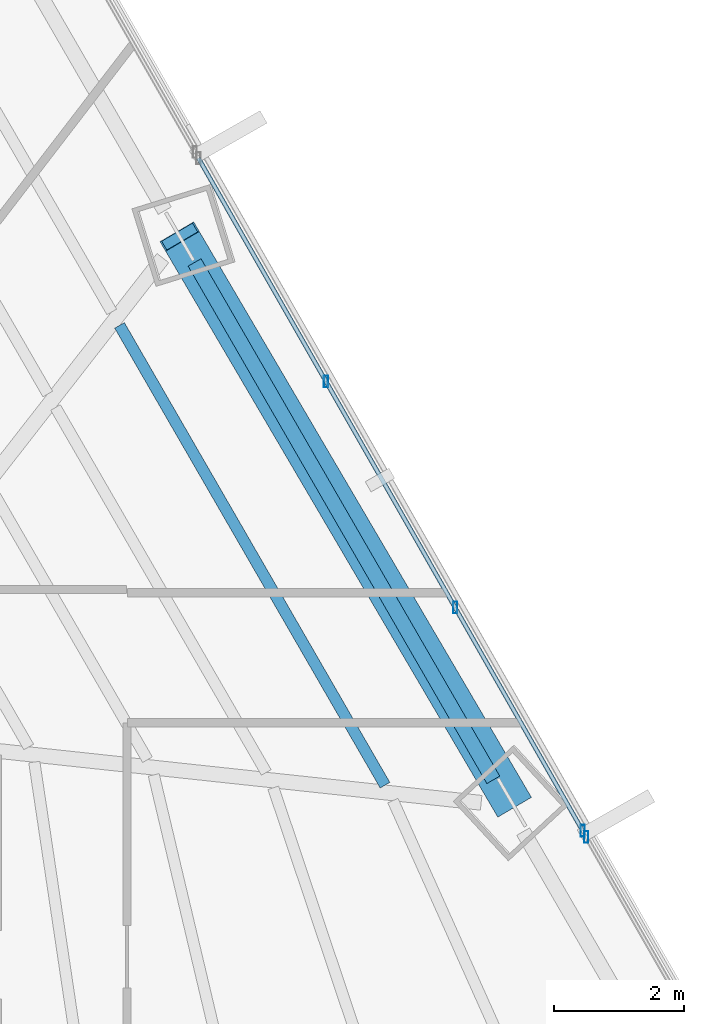
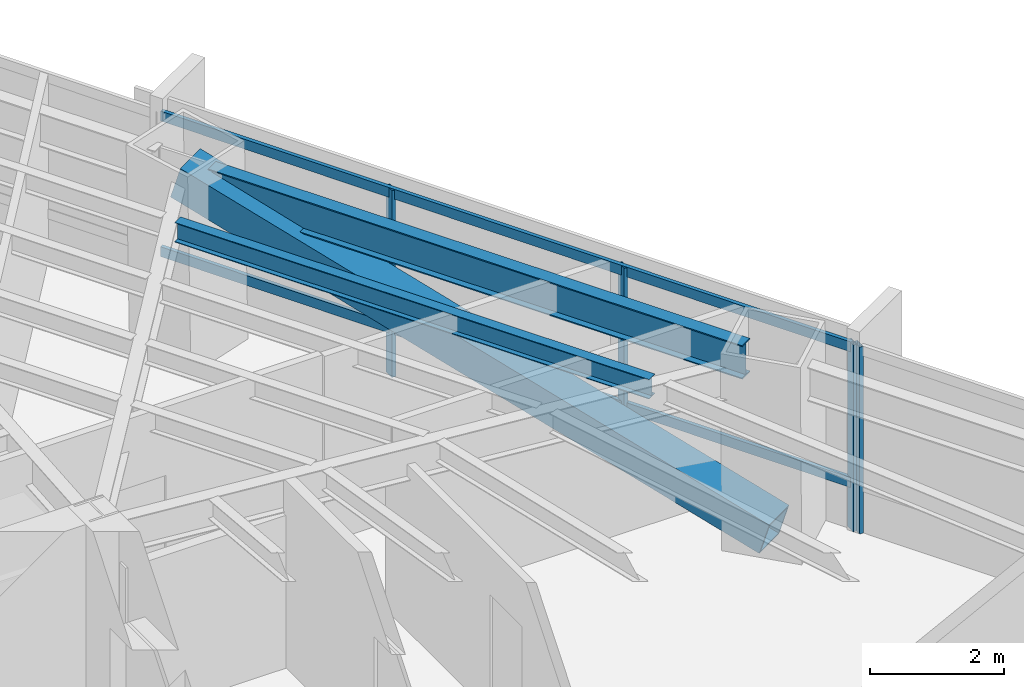
# One storey, part 22 of 36: 7 members, 2 beams, 2 elements without a shape of their own.
"""IFC4 building model written with IfcOpenShell, lengths in metres."""

from ifc_helpers import new_model, si_unit, direction, frame, origin, origin_2d, place, context, subcontext, project, spatial, hollow_rectangle, i_section, extrude, source, transform, mapped, material, material_profile, profile_set, type_object, type_shapes, element, aggregate, save


model = new_model("IFC4")

# Units and contexts
model_context = context("Model", 3, precision=1e-05, world=origin(), true_north=direction((0.0, 1.0)))
body_context = subcontext(model_context, "Body", "Model", "MODEL_VIEW")
ifc_project = project(units=[si_unit("LENGTHUNIT", "METRE"), si_unit("AREAUNIT", "SQUARE_METRE"), si_unit("VOLUMEUNIT", "CUBIC_METRE"), si_unit("PLANEANGLEUNIT", "RADIAN"), si_unit("MASSUNIT", "GRAM", prefix="KILO")], contexts=[model_context])

# Site, building, storey
site_placement = place(None, origin())
site = spatial("IfcSite", under=ifc_project, at=site_placement, CompositionType="ELEMENT")
building_placement = place(site_placement, origin())
building = spatial("IfcBuilding", under=site, at=building_placement, Name="Caelisora Broadcast Tower", CompositionType="ELEMENT")
storey_placement = place(building_placement, frame((0.0, 0.0, 64.10009765625)))
storey = spatial("IfcBuildingStorey", under=building, at=storey_placement, Name="L16", CompositionType="ELEMENT", Elevation=64.10009765625)

# Beams
ifc_material_1 = material(Name="Steel Grade 350 (AS/NZS 3679.1)", Category="steel")
ifc_material_profile_1 = material_profile(ifc_material_1, i_section(OverallWidth=0.22900390625, OverallDepth=0.611572265625, WebThickness=0.011962890625, FlangeThickness=0.01953125, at=origin_2d()), Name="Steel Grade 350 (AS/NZS 3679.1)")
ifc_profile_set_1 = profile_set([ifc_material_profile_1], Name="Steel Grade 350 (AS/NZS 3679.1)")
beam_type_1 = type_object("IfcBeamType", Name="PG03", PredefinedType="BEAM", material=ifc_profile_set_1)
shared_shape_1 = source(origin(), body_context, "Body", "SweptSolid", [
    extrude(i_section(OverallWidth=0.22900390625, OverallDepth=0.611572265625, WebThickness=0.011962890625, FlangeThickness=0.01953125, at=origin_2d()), origin(), (0.0, 0.0, 1.0), 9.1953125),
])
type_shapes(beam_type_1, [shared_shape_1])
beam_1_placement = place(storey_placement, frame((56.23779296875, 29.220703125, 3.093994140625), z_axis=(-0.499999779356, 0.866025531173, 0.0), x_axis=(-0.866025531173, -0.499999779356, 0.0)))
element("IfcBeam", 1, at=beam_1_placement, inside=storey, type_object=beam_type_1, Name="L16 beam PG03", PredefinedType="BEAM", context=body_context, shape_type="MappedRepresentation", body=[
    mapped(shared_shape_1, transform((0.0, 0.0, 0.0), scale=1.0)),
])
ifc_material_profile_2 = material_profile(ifc_material_1, i_section(OverallWidth=0.172119140625, OverallDepth=0.358642578125, WebThickness=0.008056640625, FlangeThickness=0.012939453125, at=origin_2d()), Name="Steel Grade 350 (AS/NZS 3679.1)")
ifc_profile_set_2 = profile_set([ifc_material_profile_2], Name="Steel Grade 350 (AS/NZS 3679.1)")
beam_type_2 = type_object("IfcBeamType", Name="SB02", PredefinedType="JOIST", material=ifc_profile_set_2)
shared_shape_2 = source(origin(), body_context, "Body", "SweptSolid", [
    extrude(i_section(OverallWidth=0.172119140625, OverallDepth=0.358642578125, WebThickness=0.008056640625, FlangeThickness=0.012939453125, at=origin_2d()), origin(), (0.0, 0.0, 1.0), 8.17138671875),
])
type_shapes(beam_type_2, [shared_shape_2])
beam_2_placement = place(storey_placement, frame((54.57080078125, 29.13818359375, 3.220703125), z_axis=(-0.499998321575, 0.866026372821, 0.0), x_axis=(-0.866026372821, -0.499998321575, 0.0)))
element("IfcBeam", 2, at=beam_2_placement, inside=storey, type_object=beam_type_2, Name="L16 beam SB02", PredefinedType="JOIST", context=body_context, shape_type="MappedRepresentation", body=[
    mapped(shared_shape_2, transform((0.0, 0.0, 0.0), scale=1.0)),
])

# Member
ifc_material_2 = material(Name="Steel Grade 450 L15 (AS/NZS 3678)", Category="steel")
ifc_material_profile_3 = material_profile(ifc_material_2, hollow_rectangle(XDim=0.60009765625, YDim=0.60009765625, WallThickness=0.02490234375, at=origin_2d()), Name="Steel Grade 450 L15 (AS/NZS 3678)")
ifc_profile_set_3 = profile_set([ifc_material_profile_3], Name="Steel Grade 450 L15 (AS/NZS 3678)")
member_type_1 = type_object("IfcMemberType", Name="BR01", PredefinedType="BRACE", material=ifc_profile_set_3)
shared_shape_3 = source(origin(), body_context, "Body", "SweptSolid", [
    extrude(hollow_rectangle(XDim=0.60009765625, YDim=0.60009765625, WallThickness=0.02490234375, at=origin_2d()), origin(), (0.0, 0.0, 1.0), 10.535400390625),
])
type_shapes(member_type_1, [shared_shape_3])
member_1_placement = place(storey_placement, frame((56.522216796875, 28.87255859375, 0.099853515625), z_axis=(-0.485222783783, 0.826725633231, 0.284751782183), x_axis=(-0.862429089805, -0.506177898627, 0.0)))
element("IfcMember", 3, at=member_1_placement, inside=storey, type_object=member_type_1, Name="L16 perimeter brace BR01", PredefinedType="BRACE", context=body_context, shape_type="MappedRepresentation", body=[
    mapped(shared_shape_3, transform((0.0, 0.0, 0.0), scale=1.0)),
])

# Curtain wall, members
ifc_material_3 = material(Name="Unitised Aluminium Insulated Shadow-Box Spandrel Curtain Wall", Category="aluminium")
curtain_wall_type_1 = type_object("IfcCurtainWallType", Name="CW-SP1", PredefinedType="NOTDEFINED", material=ifc_material_3)
curtain_wall_1_placement = place(storey_placement, origin())
curtain_wall_1 = element("IfcCurtainWall", 4, at=curtain_wall_1_placement, inside=storey, type_object=curtain_wall_type_1, Name="L16 curtain wall CW-SP1", PredefinedType="NOTDEFINED")
ifc_material_4 = material(Name="Aluminium 6063-T6 Anodised Terracotta Bronze", Category="aluminium")
ifc_material_profile_4 = material_profile(ifc_material_4, hollow_rectangle(XDim=0.06494140625, YDim=0.179931640625, WallThickness=0.00341796875, at=origin_2d()), Name="Aluminium 6063-T6 Anodised Terracotta Bronze")
ifc_profile_set_4 = profile_set([ifc_material_profile_4], Name="Aluminium 6063-T6 Anodised Terracotta Bronze")
member_type_2 = type_object("IfcMemberType", Name="CWM-02", PredefinedType="MULLION", material=ifc_profile_set_4)
shared_shape_4 = source(origin(), body_context, "Body", "SweptSolid", [
    extrude(hollow_rectangle(XDim=0.06494140625, YDim=0.179931640625, WallThickness=0.00341796875, at=origin_2d()), origin(), (0.0, 0.0, 1.0), 3.39990234375),
])
type_shapes(member_type_2, [shared_shape_4])
member_2_placement = place(storey_placement, frame((53.662109375, 35.352294921875, 0.0), z_axis=(0.0, 0.0, 1.0), x_axis=(1.0, 0.0, 0.0)))
member_2 = element("IfcMember", 5, at=member_2_placement, type_object=member_type_2, Name="L16-CW-B02 mullion #1", PredefinedType="MULLION", context=body_context, shape_type="MappedRepresentation", body=[
    mapped(shared_shape_4, transform((0.0, 0.0, 0.0), scale=1.0)),
])
member_3_placement = place(storey_placement, frame((55.64990234375, 31.872314453125, 0.0), z_axis=(0.0, 0.0, 1.0), x_axis=(1.0, 0.0, 0.0)))
member_3 = element("IfcMember", 6, at=member_3_placement, type_object=member_type_2, Name="L16-CW-B02 mullion #2", PredefinedType="MULLION", context=body_context, shape_type="MappedRepresentation", body=[
    mapped(shared_shape_4, transform((0.0, 0.0, 0.0), scale=1.0)),
])
member_4_placement = place(storey_placement, frame((57.61279296875, 28.43603515625, 0.0), z_axis=(0.0, 0.0, 1.0), x_axis=(1.0, 0.0, 0.0)))
member_4 = element("IfcMember", 7, at=member_4_placement, type_object=member_type_2, Name="L16-CW-B02 mullion #3", PredefinedType="MULLION", context=body_context, shape_type="MappedRepresentation", body=[
    mapped(shared_shape_4, transform((0.0, 0.0, 0.0), scale=1.0)),
])

# Curtain wall, member
ifc_material_5 = material(Name="Unitised Aluminium and Low-E Glass Curtain Wall", Category="glass")
curtain_wall_type_2 = type_object("IfcCurtainWallType", Name="CW-Z1", PredefinedType="NOTDEFINED", material=ifc_material_5)
curtain_wall_2_placement = place(storey_placement, origin())
curtain_wall_2 = element("IfcCurtainWall", 8, at=curtain_wall_2_placement, inside=storey, type_object=curtain_wall_type_2, Name="L16 curtain wall CW-Z1", PredefinedType="NOTDEFINED")
member_5_placement = place(storey_placement, frame((57.667236328125, 28.340576171875, 0.0), z_axis=(0.0, 0.0, 1.0), x_axis=(1.0, 0.0, 0.0)))
member_5 = element("IfcMember", 9, at=member_5_placement, type_object=member_type_2, Name="L16-CW-B03 mullion #0", PredefinedType="MULLION", context=body_context, shape_type="MappedRepresentation", body=[
    mapped(shared_shape_4, transform((0.0, 0.0, 0.0), scale=1.0)),
])
aggregate(curtain_wall_2, [member_5])

# Member
ifc_material_profile_5 = material_profile(ifc_material_4, hollow_rectangle(XDim=0.06494140625, YDim=0.179931640625, WallThickness=0.00341796875, at=origin_2d()), Name="Aluminium 6063-T6 Anodised Terracotta Bronze")
ifc_profile_set_5 = profile_set([ifc_material_profile_5], Name="Aluminium 6063-T6 Anodised Terracotta Bronze")
member_type_3 = type_object("IfcMemberType", Name="CWT-01", PredefinedType="USERDEFINED", material=ifc_profile_set_5)
shared_shape_5 = source(origin(), body_context, "Body", "SweptSolid", [
    extrude(hollow_rectangle(XDim=0.06494140625, YDim=0.179931640625, WallThickness=0.00341796875, at=origin_2d()), origin(), (0.0, 0.0, 1.0), 11.92236328125),
])
type_shapes(member_type_3, [shared_shape_5])
member_6_placement = place(storey_placement, frame((51.69921875, 38.78857421875, 0.849853515625), z_axis=(0.49600220656, -0.868321260299, 0.0), x_axis=(0.868321260299, 0.49600220656, 0.0)))
member_6 = element("IfcMember", 10, at=member_6_placement, type_object=member_type_3, Name="L16-CW-B02 transom #1", ObjectType="TRANSOM", PredefinedType="USERDEFINED", context=body_context, shape_type="MappedRepresentation", body=[
    mapped(shared_shape_5, transform((0.0, 0.0, 0.0), scale=1.0)),
])

member_7_placement = place(storey_placement, frame((51.69921875, 38.78857421875, 3.31982421875), z_axis=(0.49600220656, -0.868321260299, 0.0), x_axis=(0.868321260299, 0.49600220656, 0.0)))
member_7 = element("IfcMember", 11, at=member_7_placement, type_object=member_type_3, Name="L16-CW-B02 transom #2", ObjectType="TRANSOM", PredefinedType="USERDEFINED", context=body_context, shape_type="MappedRepresentation", body=[
    mapped(shared_shape_5, transform((0.0, 0.0, 0.0), scale=1.0)),
])

aggregate(curtain_wall_1, [member_2, member_3, member_4, member_6, member_7])

save(model, "model.ifc")
